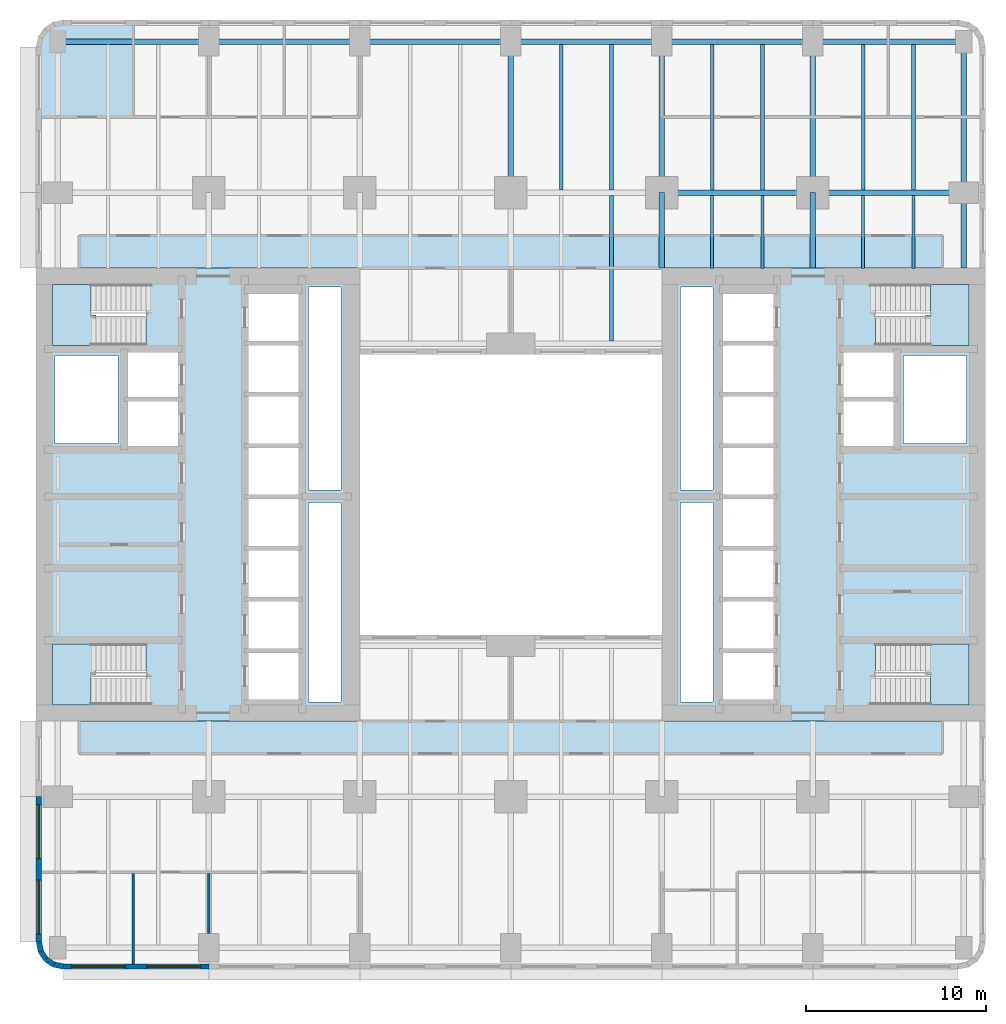
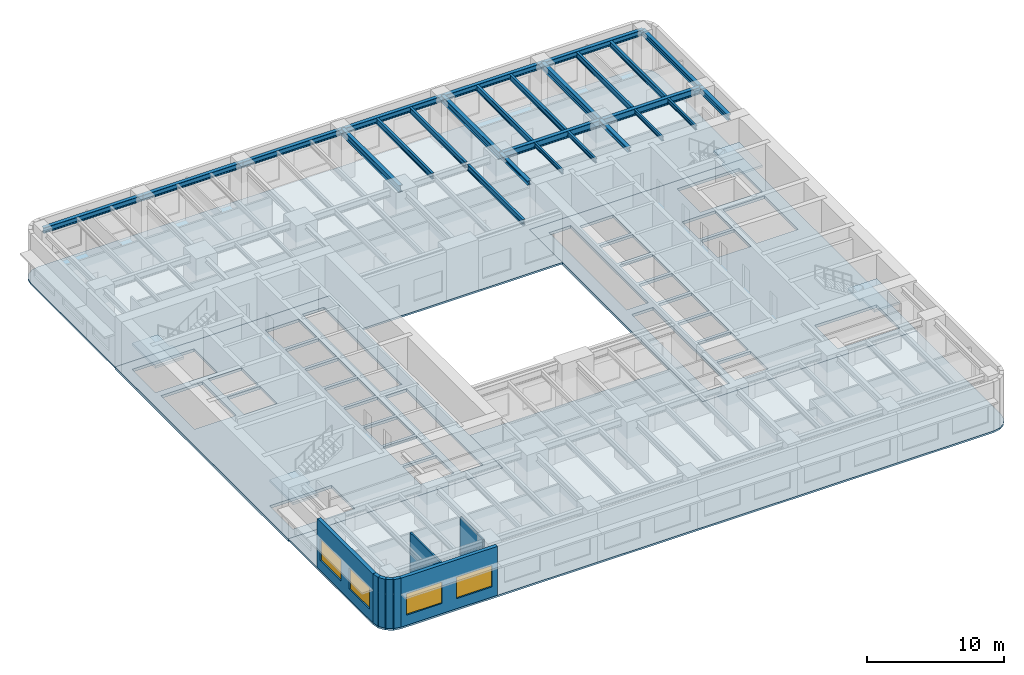
# One storey, part 2 of 14: 26 beams, 8 slabs, 8 walls, 4 windows, 4 openings, 4 elements without a shape of their own.
"""IFC4 building model written with IfcOpenShell, lengths in metres."""

from ifc_helpers import new_model, si_unit, direction, frame, frame_2d, origin, origin_2d, place, context, subcontext, project, spatial, polyline, rectangle, i_section, outline, extrude, material, layer, layer_set, material_profile, profile_set, type_object, element, fill, aggregate, save


model = new_model("IFC4")

# Units and contexts
model_context = context("Model", 3, precision=1e-05, world=origin(), true_north=direction((0.0, 1.0)))
body_context = subcontext(model_context, "Body", "Model", "MODEL_VIEW")
ifc_project = project(units=[si_unit("LENGTHUNIT", "METRE"), si_unit("AREAUNIT", "SQUARE_METRE"), si_unit("VOLUMEUNIT", "CUBIC_METRE"), si_unit("PLANEANGLEUNIT", "RADIAN"), si_unit("MASSUNIT", "GRAM", prefix="KILO")], contexts=[model_context])

# Site, building, storey
site_placement = place(None, origin())
site = spatial("IfcSite", under=ifc_project, at=site_placement, CompositionType="ELEMENT")
building_placement = place(site_placement, origin())
building = spatial("IfcBuilding", under=site, at=building_placement, Name="Claustro Exchange Tower", CompositionType="ELEMENT")
storey_placement = place(building_placement, frame((0.0, 0.0, 23.39990234375)))
storey = spatial("IfcBuildingStorey", under=building, at=storey_placement, Name="L05", CompositionType="ELEMENT", Elevation=23.39990234375)

# Beams
ifc_material_1 = material(Name="Steel S355", Category="steel")
ifc_material_profile_1 = material_profile(ifc_material_1, i_section(OverallWidth=0.300048828125, OverallDepth=0.60009765625, WebThickness=0.015380859375, FlangeThickness=0.030029296875, FilletRadius=0.027099609375, at=origin_2d()), Name="HE 600 B")
ifc_profile_set_1 = profile_set([ifc_material_profile_1], Name="Steel S355")
beam_type_1 = type_object("IfcBeamType", Name="B1 HE 600 B floor girder", PredefinedType="BEAM", material=ifc_profile_set_1)
for number, where, z_axis, x_axis, name in (
    (1, (25.199951171875, 42.0, 4.0400390625), (0.0, 1.0, 0.0), (-1.0, 0.0, 0.0), "Beam B1 L06"),
    (2, (33.60009765625, 42.0, 4.0400390625), (0.0, 1.0, 0.0), (-1.0, 0.0, 0.0), "Beam B1 L06"),
    (3, (42.0, 42.0, 4.0400390625), (0.0, 1.0, 0.0), (-1.0, 0.0, 0.0), "Beam B1 L06"),
    (4, (33.60009765625, 42.0, 4.0400390625), (1.0, 0.0, 0.0), (0.0, 1.0, 0.0), "Beam B1 L06"),
    (5, (42.0, 42.0, 4.0400390625), (1.0, 0.0, 0.0), (0.0, 1.0, 0.0), "Beam B1 L06"),
):
    element("IfcBeam", number, at=place(storey_placement, frame(where, z_axis=z_axis, x_axis=x_axis)), inside=storey, type_object=beam_type_1, Name=name, PredefinedType="BEAM", context=body_context, shape_type="SweptSolid", body=[
        extrude(i_section(OverallWidth=0.300048828125, OverallDepth=0.60009765625, WebThickness=0.015380859375, FlangeThickness=0.030029296875, FilletRadius=0.027099609375, at=origin_2d()), origin(), (0.0, 0.0, 1.0), 8.39990234375),
    ])
ifc_material_2 = material(Name="Steel S355", Category="steel")
ifc_material_profile_2 = material_profile(ifc_material_2, i_section(OverallWidth=0.169921875, OverallDepth=0.360107421875, WebThickness=0.008056640625, FlangeThickness=0.0126953125, FilletRadius=0.01806640625, at=origin_2d()), Name="IPE 360")
ifc_profile_set_2 = profile_set([ifc_material_profile_2], Name="Steel S355")
beam_type_2 = type_object("IfcBeamType", Name="B16 IPE 360 short-span beam", PredefinedType="BEAM", material=ifc_profile_set_2)
for number, where, z_axis, x_axis, name in (
    (6, (36.39990234375, 37.7900390625, 4.16015625), (0.0, 1.0, 0.0), (-1.0, 0.0, 0.0), "Beam B16 L06"),
    (7, (39.199951171875, 37.7900390625, 4.16015625), (0.0, 1.0, 0.0), (-1.0, 0.0, 0.0), "Beam B16 L06"),
    (8, (44.800048828125, 37.7900390625, 4.16015625), (0.0, 1.0, 0.0), (-1.0, 0.0, 0.0), "Beam B16 L06"),
    (9, (47.60009765625, 37.7900390625, 4.16015625), (0.0, 1.0, 0.0), (-1.0, 0.0, 0.0), "Beam B16 L06"),
):
    element("IfcBeam", number, at=place(storey_placement, frame(where, z_axis=z_axis, x_axis=x_axis)), inside=storey, type_object=beam_type_2, Name=name, PredefinedType="BEAM", context=body_context, shape_type="SweptSolid", body=[
        extrude(i_section(OverallWidth=0.169921875, OverallDepth=0.360107421875, WebThickness=0.008056640625, FlangeThickness=0.0126953125, FilletRadius=0.01806640625, at=origin_2d()), origin(), (0.0, 0.0, 1.0), 4.06005859375),
    ])
ifc_material_3 = material(Name="Steel S355", Category="steel")
ifc_material_profile_3 = material_profile(ifc_material_3, i_section(OverallWidth=0.199951171875, OverallDepth=0.5, WebThickness=0.01025390625, FlangeThickness=0.01611328125, FilletRadius=0.02099609375, at=origin_2d()), Name="IPE 500")
ifc_profile_set_3 = profile_set([ifc_material_profile_3], Name="Steel S355")
beam_type_3 = type_object("IfcBeamType", Name="B2 IPE 500 secondary beam", PredefinedType="BEAM", material=ifc_profile_set_3)
for number, where, z_axis, x_axis, name in (
    (10, (30.800048828125, 33.75, 4.090087890625), (0.0, 1.0, 0.0), (-1.0, 0.0, 0.0), "Beam B2 L06"),
    (11, (28.0, 42.14990234375, 4.090087890625), (0.0, 1.0, 0.0), (-1.0, 0.0, 0.0), "Beam B2 L06"),
    (12, (30.800048828125, 42.14990234375, 4.090087890625), (0.0, 1.0, 0.0), (-1.0, 0.0, 0.0), "Beam B2 L06"),
    (13, (36.39990234375, 42.14990234375, 4.090087890625), (0.0, 1.0, 0.0), (-1.0, 0.0, 0.0), "Beam B2 L06"),
    (14, (39.199951171875, 42.14990234375, 4.090087890625), (0.0, 1.0, 0.0), (-1.0, 0.0, 0.0), "Beam B2 L06"),
    (15, (44.800048828125, 42.14990234375, 4.090087890625), (0.0, 1.0, 0.0), (-1.0, 0.0, 0.0), "Beam B2 L06"),
    (16, (47.60009765625, 42.14990234375, 4.090087890625), (0.0, 1.0, 0.0), (-1.0, 0.0, 0.0), "Beam B2 L06"),
):
    element("IfcBeam", number, at=place(storey_placement, frame(where, z_axis=z_axis, x_axis=x_axis)), inside=storey, type_object=beam_type_3, Name=name, PredefinedType="BEAM", context=body_context, shape_type="SweptSolid", body=[
        extrude(i_section(OverallWidth=0.199951171875, OverallDepth=0.5, WebThickness=0.01025390625, FlangeThickness=0.01611328125, FilletRadius=0.02099609375, at=origin_2d()), origin(), (0.0, 0.0, 1.0), 8.10009765625),
    ])
ifc_material_4 = material(Name="Steel S355", Category="steel")
ifc_material_profile_4 = material_profile(ifc_material_4, i_section(OverallWidth=0.300048828125, OverallDepth=0.360107421875, WebThickness=0.012451171875, FlangeThickness=0.0224609375, FilletRadius=0.027099609375, at=origin_2d()), Name="HE 360 B")
ifc_profile_set_4 = profile_set([ifc_material_profile_4], Name="Steel S355")
beam_type_4 = type_object("IfcBeamType", Name="B29 HE 360 B column to core link beam", PredefinedType="BEAM", material=ifc_profile_set_4)
for number, where, z_axis, x_axis, name in (
    (17, (33.60009765625, 37.800048828125, 4.16015625), (0.0, 1.0, 0.0), (-1.0, 0.0, 0.0), "Beam B29 L06"),
    (18, (42.0, 37.800048828125, 4.16015625), (0.0, 1.0, 0.0), (-1.0, 0.0, 0.0), "Beam B29 L06"),
):
    element("IfcBeam", number, at=place(storey_placement, frame(where, z_axis=z_axis, x_axis=x_axis)), inside=storey, type_object=beam_type_4, Name=name, PredefinedType="BEAM", context=body_context, shape_type="SweptSolid", body=[
        extrude(i_section(OverallWidth=0.300048828125, OverallDepth=0.360107421875, WebThickness=0.012451171875, FlangeThickness=0.0224609375, FilletRadius=0.027099609375, at=origin_2d()), origin(), (0.0, 0.0, 1.0), 4.199951171875),
    ])
ifc_material_5 = material(Name="Steel S355", Category="steel")
ifc_material_profile_5 = material_profile(ifc_material_5, i_section(OverallWidth=0.300048828125, OverallDepth=0.5, WebThickness=0.014404296875, FlangeThickness=0.028076171875, FilletRadius=0.027099609375, at=origin_2d()), Name="HE 500 B")
ifc_profile_set_5 = profile_set([ifc_material_profile_5], Name="Steel S355")
beam_type_5 = type_object("IfcBeamType", Name="B3 HE 500 B spandrel edge girder", PredefinedType="SPANDREL", material=ifc_profile_set_5)
beam_1_placement = place(storey_placement, frame((50.39990234375, 37.800048828125, 4.090087890625), z_axis=(0.0, 1.0, 0.0), x_axis=(-1.0, 0.0, 0.0)))
element("IfcBeam", 19, at=beam_1_placement, inside=storey, type_object=beam_type_5, Name="Beam B3 L06", PredefinedType="SPANDREL", context=body_context, shape_type="SweptSolid", body=[
    extrude(i_section(OverallWidth=0.300048828125, OverallDepth=0.5, WebThickness=0.014404296875, FlangeThickness=0.028076171875, FilletRadius=0.027099609375, at=origin_2d()), origin(), (0.0, 0.0, 1.0), 4.199951171875),
])
for number, where, z_axis, x_axis, name in (
    (20, (50.39990234375, 42.0, 4.090087890625), (0.0, 1.0, 0.0), (-1.0, 0.0, 0.0), "Beam B3 L06"),
    (21, (0.0, 50.39990234375, 4.090087890625), (1.0, 0.0, 0.0), (0.0, 1.0, 0.0), "Beam B3 L06"),
):
    element("IfcBeam", number, at=place(storey_placement, frame(where, z_axis=z_axis, x_axis=x_axis)), inside=storey, type_object=beam_type_5, Name=name, PredefinedType="SPANDREL", context=body_context, shape_type="SweptSolid", body=[
        extrude(i_section(OverallWidth=0.300048828125, OverallDepth=0.5, WebThickness=0.014404296875, FlangeThickness=0.028076171875, FilletRadius=0.027099609375, at=origin_2d()), origin(), (0.0, 0.0, 1.0), 8.39990234375),
    ])
beam_2_placement = place(storey_placement, frame((8.39990234375, 50.39990234375, 4.090087890625), z_axis=(1.0, 0.0, 0.0), x_axis=(0.0, 1.0, 0.0)))
element("IfcBeam", 22, at=beam_2_placement, inside=storey, type_object=beam_type_5, Name="Beam B3 L06", PredefinedType="SPANDREL", context=body_context, shape_type="SweptSolid", body=[
    extrude(i_section(OverallWidth=0.300048828125, OverallDepth=0.5, WebThickness=0.014404296875, FlangeThickness=0.028076171875, FilletRadius=0.027099609375, at=origin_2d()), origin(), (0.0, 0.0, 1.0), 8.400146484375),
])
beam_3_placement = place(storey_placement, frame((16.800048828125, 50.39990234375, 4.090087890625), z_axis=(1.0, 0.0, 0.0), x_axis=(0.0, 1.0, 0.0)))
element("IfcBeam", 23, at=beam_3_placement, inside=storey, type_object=beam_type_5, Name="Beam B3 L06", PredefinedType="SPANDREL", context=body_context, shape_type="SweptSolid", body=[
    extrude(i_section(OverallWidth=0.300048828125, OverallDepth=0.5, WebThickness=0.014404296875, FlangeThickness=0.028076171875, FilletRadius=0.027099609375, at=origin_2d()), origin(), (0.0, 0.0, 1.0), 8.39990234375),
])
beam_4_placement = place(storey_placement, frame((25.199951171875, 50.39990234375, 4.090087890625), z_axis=(1.0, 0.0, 0.0), x_axis=(0.0, 1.0, 0.0)))
element("IfcBeam", 24, at=beam_4_placement, inside=storey, type_object=beam_type_5, Name="Beam B3 L06", PredefinedType="SPANDREL", context=body_context, shape_type="SweptSolid", body=[
    extrude(i_section(OverallWidth=0.300048828125, OverallDepth=0.5, WebThickness=0.014404296875, FlangeThickness=0.028076171875, FilletRadius=0.027099609375, at=origin_2d()), origin(), (0.0, 0.0, 1.0), 8.400146484375),
])
for number, where, z_axis, x_axis, name in (
    (25, (33.60009765625, 50.39990234375, 4.090087890625), (1.0, 0.0, 0.0), (0.0, 1.0, 0.0), "Beam B3 L06"),
    (26, (42.0, 50.39990234375, 4.090087890625), (1.0, 0.0, 0.0), (0.0, 1.0, 0.0), "Beam B3 L06"),
):
    element("IfcBeam", number, at=place(storey_placement, frame(where, z_axis=z_axis, x_axis=x_axis)), inside=storey, type_object=beam_type_5, Name=name, PredefinedType="SPANDREL", context=body_context, shape_type="SweptSolid", body=[
        extrude(i_section(OverallWidth=0.300048828125, OverallDepth=0.5, WebThickness=0.014404296875, FlangeThickness=0.028076171875, FilletRadius=0.027099609375, at=origin_2d()), origin(), (0.0, 0.0, 1.0), 8.39990234375),
    ])

# Slabs
ifc_material_6 = material(Name="Concrete HA-50 (C50/60)", Category="concrete")
ifc_layer_1 = layer(ifc_material_6, 0.159912109375)
ifc_layer_set_1 = layer_set([ifc_layer_1], Name="Concrete HA-50 (C50/60)")
slab_type_1 = type_object("IfcSlabType", Name="S1 160 composite floor slab", PredefinedType="FLOOR", material=ifc_layer_set_1)
slab_1_placement = place(storey_placement, frame((0.0, 0.0, -0.159912109375)))
element("IfcSlab", 27, at=slab_1_placement, inside=storey, type_object=slab_type_1, Name="Floor slab S1 S L05", PredefinedType="FLOOR", context=body_context, shape_type="SweptSolid", body=[
    extrude(outline(polyline([(-0.27392578125, -1.085693359375), (0.300048828125, -1.199951171875), (50.10009765625, -1.199951171875), (50.674072265625, -1.085693359375), (51.16064453125, -0.7607421875), (51.48583984375, -0.27392578125), (51.60009765625, 0.300048828125), (51.60009765625, 12.60009765625), (33.60009765625, 12.60009765625), (33.60009765625, 17.39990234375), (16.800048828125, 17.39990234375), (16.800048828125, 12.60009765625), (-1.199951171875, 12.60009765625), (-1.199951171875, 0.300048828125), (-1.085693359375, -0.27392578125), (-0.7607421875, -0.7607421875), (-0.27392578125, -1.085693359375)])), origin(), (0.0, 0.0, 1.0), 0.159912109375),
])
slab_2_placement = place(storey_placement, frame((0.0, 0.0, -0.159912109375)))
element("IfcSlab", 28, at=slab_2_placement, inside=storey, type_object=slab_type_1, Name="Floor slab S1 N L05", PredefinedType="FLOOR", context=body_context, shape_type="SweptSolid", body=[
    extrude(outline(polyline([(16.800048828125, 37.800048828125), (16.800048828125, 33.0), (33.60009765625, 33.0), (33.60009765625, 37.800048828125), (51.60009765625, 37.800048828125), (51.60009765625, 50.10009765625), (51.48583984375, 50.674072265625), (51.16064453125, 51.16064453125), (50.674072265625, 51.48583984375), (50.10009765625, 51.60009765625), (0.300048828125, 51.60009765625), (-0.27392578125, 51.48583984375), (-0.7607421875, 51.16064453125), (-1.085693359375, 50.674072265625), (-1.199951171875, 50.10009765625), (-1.199951171875, 37.800048828125), (16.800048828125, 37.800048828125)])), origin(), (0.0, 0.0, 1.0), 0.159912109375),
])
ifc_material_7 = material(Name="Concrete HA-50 (C50/60)", Category="concrete")
ifc_layer_2 = layer(ifc_material_7, 0.25)
ifc_layer_set_2 = layer_set([ifc_layer_2], Name="Concrete HA-50 (C50/60)")
slab_type_2 = type_object("IfcSlabType", Name="S7 250 core floor slab", PredefinedType="FLOOR", material=ifc_layer_set_2)
slab_3_placement = place(storey_placement, frame((0.0, 0.0, -0.25)))
element("IfcSlab", 29, at=slab_3_placement, inside=storey, type_object=slab_type_2, Name="Core floor slab S7 W core L05", PredefinedType="FLOOR", context=body_context, shape_type="SweptSolid", body=[
    extrude(outline(polyline([(-1.199951171875, 12.60009765625), (16.800048828125, 12.60009765625), (16.800048828125, 37.800048828125), (-1.199951171875, 37.800048828125), (-1.199951171875, 12.60009765625)]), holes=[polyline([(15.75, 24.75), (15.75, 13.64990234375), (13.949951171875, 13.64990234375), (13.949951171875, 24.75), (15.75, 24.75)]), polyline([(15.75, 36.75), (15.75, 25.449951171875), (13.949951171875, 25.449951171875), (13.949951171875, 36.75), (15.75, 36.75)]), polyline([(10.60009765625, 16.39990234375), (13.39990234375, 16.39990234375), (13.39990234375, 13.800048828125), (10.60009765625, 13.800048828125), (10.60009765625, 16.39990234375)]), polyline([(13.39990234375, 19.25), (13.39990234375, 16.64990234375), (10.60009765625, 16.64990234375), (10.60009765625, 19.25), (13.39990234375, 19.25)]), polyline([(13.39990234375, 22.10009765625), (13.39990234375, 19.5), (10.60009765625, 19.5), (10.60009765625, 22.10009765625), (13.39990234375, 22.10009765625)]), polyline([(13.39990234375, 24.949951171875), (13.39990234375, 22.35009765625), (10.60009765625, 22.35009765625), (10.60009765625, 24.949951171875), (13.39990234375, 24.949951171875)]), polyline([(13.39990234375, 27.800048828125), (13.39990234375, 25.199951171875), (10.60009765625, 25.199951171875), (10.60009765625, 27.800048828125), (13.39990234375, 27.800048828125)]), polyline([(13.39990234375, 30.64990234375), (13.39990234375, 28.050048828125), (10.60009765625, 28.050048828125), (10.60009765625, 30.64990234375), (13.39990234375, 30.64990234375)]), polyline([(13.39990234375, 33.5), (13.39990234375, 30.89990234375), (10.60009765625, 30.89990234375), (10.60009765625, 33.5), (13.39990234375, 33.5)]), polyline([(13.39990234375, 36.35009765625), (13.39990234375, 33.75), (10.60009765625, 33.75), (10.60009765625, 36.35009765625), (13.39990234375, 36.35009765625)]), polyline([(6.699951171875, 30.375), (6.699951171875, 27.89990234375), (3.89990234375, 27.89990234375), (3.89990234375, 30.375), (6.699951171875, 30.375)]), polyline([(6.699951171875, 33.10009765625), (6.699951171875, 30.625), (3.89990234375, 30.625), (3.89990234375, 33.10009765625), (6.699951171875, 33.10009765625)]), polyline([(-0.300048828125, 15.199951171875), (-0.300048828125, 16.89990234375), (4.9150390625, 16.89990234375), (4.9150390625, 15.199951171875), (4.919921875, 15.199951171875), (4.919921875, 13.5), (-0.300048828125, 13.5), (-0.300048828125, 15.199951171875)]), polyline([(-0.300048828125, 36.89990234375), (4.919921875, 36.89990234375), (4.919921875, 35.199951171875), (4.9150390625, 35.199951171875), (4.9150390625, 33.5), (-0.300048828125, 33.5), (-0.300048828125, 35.199951171875), (-0.300048828125, 36.89990234375)]), polyline([(3.35009765625, 32.949951171875), (3.35009765625, 28.050048828125), (-0.14990234375, 28.050048828125), (-0.14990234375, 32.949951171875), (3.35009765625, 32.949951171875)])]), origin(), (0.0, 0.0, 1.0), 0.25),
])
slab_4_placement = place(storey_placement, frame((0.0, 0.0, -0.25)))
element("IfcSlab", 30, at=slab_4_placement, inside=storey, type_object=slab_type_2, Name="Core floor slab S7 E core L05", PredefinedType="FLOOR", context=body_context, shape_type="SweptSolid", body=[
    extrude(outline(polyline([(33.60009765625, 12.60009765625), (51.60009765625, 12.60009765625), (51.60009765625, 37.800048828125), (33.60009765625, 37.800048828125), (33.60009765625, 12.60009765625)]), holes=[polyline([(45.47998046875, 35.199951171875), (45.47998046875, 36.89990234375), (50.699951171875, 36.89990234375), (50.699951171875, 35.199951171875), (50.699951171875, 33.5), (45.485107421875, 33.5), (45.485107421875, 35.199951171875), (45.47998046875, 35.199951171875)]), polyline([(45.485107421875, 15.199951171875), (45.485107421875, 16.89990234375), (50.699951171875, 16.89990234375), (50.699951171875, 15.199951171875), (50.699951171875, 13.5), (45.47998046875, 13.5), (45.47998046875, 15.199951171875), (45.485107421875, 15.199951171875)]), polyline([(50.550048828125, 32.949951171875), (50.550048828125, 28.050048828125), (47.050048828125, 28.050048828125), (47.050048828125, 32.949951171875), (50.550048828125, 32.949951171875)]), polyline([(46.5, 30.375), (46.5, 27.89990234375), (43.699951171875, 27.89990234375), (43.699951171875, 30.375), (46.5, 30.375)]), polyline([(46.5, 33.10009765625), (46.5, 30.625), (43.699951171875, 30.625), (43.699951171875, 33.10009765625), (46.5, 33.10009765625)]), polyline([(37.0, 16.39990234375), (39.800048828125, 16.39990234375), (39.800048828125, 13.800048828125), (37.0, 13.800048828125), (37.0, 16.39990234375)]), polyline([(39.800048828125, 19.25), (39.800048828125, 16.64990234375), (37.0, 16.64990234375), (37.0, 19.25), (39.800048828125, 19.25)]), polyline([(39.800048828125, 22.10009765625), (39.800048828125, 19.5), (37.0, 19.5), (37.0, 22.10009765625), (39.800048828125, 22.10009765625)]), polyline([(39.800048828125, 24.949951171875), (39.800048828125, 22.35009765625), (37.0, 22.35009765625), (37.0, 24.949951171875), (39.800048828125, 24.949951171875)]), polyline([(39.800048828125, 27.800048828125), (39.800048828125, 25.199951171875), (37.0, 25.199951171875), (37.0, 27.800048828125), (39.800048828125, 27.800048828125)]), polyline([(39.800048828125, 30.64990234375), (39.800048828125, 28.050048828125), (37.0, 28.050048828125), (37.0, 30.64990234375), (39.800048828125, 30.64990234375)]), polyline([(39.800048828125, 33.5), (39.800048828125, 30.89990234375), (37.0, 30.89990234375), (37.0, 33.5), (39.800048828125, 33.5)]), polyline([(39.800048828125, 36.35009765625), (39.800048828125, 33.75), (37.0, 33.75), (37.0, 36.35009765625), (39.800048828125, 36.35009765625)]), polyline([(36.449951171875, 24.75), (36.449951171875, 13.64990234375), (34.64990234375, 13.64990234375), (34.64990234375, 24.75), (36.449951171875, 24.75)]), polyline([(36.449951171875, 36.75), (36.449951171875, 25.449951171875), (34.64990234375, 25.449951171875), (34.64990234375, 36.75), (36.449951171875, 36.75)])]), origin(), (0.0, 0.0, 1.0), 0.25),
])

# Stair, slab
ifc_material_8 = material(Name="Concrete HA-30 (C30/37), precast", Category="concrete")
stair_type = type_object("IfcStairType", Name="ST2 half-turn stair, 25 risers of 180", PredefinedType="HALF_TURN_STAIR", material=ifc_material_8)
stair_1_placement = place(storey_placement, origin())
stair_1 = element("IfcStair", 31, at=stair_1_placement, inside=storey, type_object=stair_type, Name="Stair STWA L05", PredefinedType="HALF_TURN_STAIR")
ifc_material_9 = material(Name="Concrete HA-30 (C30/37), precast", Category="concrete")
ifc_layer_3 = layer(ifc_material_9, 0.199951171875)
ifc_layer_set_3 = layer_set([ifc_layer_3], Name="Concrete HA-30 (C30/37), precast")
slab_type_3 = type_object("IfcSlabType", Name="S9 200 stair landing", PredefinedType="LANDING", material=ifc_layer_set_3)
slab_5_placement = place(storey_placement, frame((0.0, 0.0, 2.14013671875)))
slab_5 = element("IfcSlab", 32, at=slab_5_placement, type_object=slab_type_3, Name="STWA landing 1", PredefinedType="LANDING", context=body_context, shape_type="SweptSolid", body=[
    extrude(outline(polyline([(1.844970703125, 13.5), (-0.300048828125, 13.5), (-0.300048828125, 16.89990234375), (1.840087890625, 16.89990234375), (1.844970703125, 16.89990234375), (2.1201171875, 16.89990234375), (2.1201171875, 15.199951171875), (1.844970703125, 15.199951171875), (1.844970703125, 13.5)])), origin(), (0.0, 0.0, 1.0), 0.199951171875),
])
aggregate(stair_1, [slab_5])

stair_2_placement = place(storey_placement, origin())
stair_2 = element("IfcStair", 33, at=stair_2_placement, inside=storey, type_object=stair_type, Name="Stair STWB L05", PredefinedType="HALF_TURN_STAIR")
slab_6_placement = place(storey_placement, frame((0.0, 0.0, 2.14013671875)))
slab_6 = element("IfcSlab", 34, at=slab_6_placement, type_object=slab_type_3, Name="STWB landing 1", PredefinedType="LANDING", context=body_context, shape_type="SweptSolid", body=[
    extrude(outline(polyline([(2.1201171875, 35.199951171875), (2.1201171875, 33.5), (1.844970703125, 33.5), (1.840087890625, 33.5), (-0.300048828125, 33.5), (-0.300048828125, 36.89990234375), (1.844970703125, 36.89990234375), (1.844970703125, 35.199951171875), (2.1201171875, 35.199951171875)])), origin(), (0.0, 0.0, 1.0), 0.199951171875),
])
aggregate(stair_2, [slab_6])

stair_3_placement = place(storey_placement, origin())
stair_3 = element("IfcStair", 35, at=stair_3_placement, inside=storey, type_object=stair_type, Name="Stair STEA L05", PredefinedType="HALF_TURN_STAIR")
slab_7_placement = place(storey_placement, frame((0.0, 0.0, 2.14013671875)))
slab_7 = element("IfcSlab", 36, at=slab_7_placement, type_object=slab_type_3, Name="STEA landing 1", PredefinedType="LANDING", context=body_context, shape_type="SweptSolid", body=[
    extrude(outline(polyline([(50.699951171875, 16.89990234375), (50.699951171875, 13.5), (48.554931640625, 13.5), (48.554931640625, 15.199951171875), (48.280029296875, 15.199951171875), (48.280029296875, 16.89990234375), (48.554931640625, 16.89990234375), (48.56005859375, 16.89990234375), (50.699951171875, 16.89990234375)])), origin(), (0.0, 0.0, 1.0), 0.199951171875),
])
aggregate(stair_3, [slab_7])

stair_4_placement = place(storey_placement, origin())
stair_4 = element("IfcStair", 37, at=stair_4_placement, inside=storey, type_object=stair_type, Name="Stair STEB L05", PredefinedType="HALF_TURN_STAIR")
slab_8_placement = place(storey_placement, frame((0.0, 0.0, 2.14013671875)))
slab_8 = element("IfcSlab", 38, at=slab_8_placement, type_object=slab_type_3, Name="STEB landing 1", PredefinedType="LANDING", context=body_context, shape_type="SweptSolid", body=[
    extrude(outline(polyline([(48.280029296875, 33.5), (48.280029296875, 35.199951171875), (48.554931640625, 35.199951171875), (48.554931640625, 36.89990234375), (50.699951171875, 36.89990234375), (50.699951171875, 33.5), (48.56005859375, 33.5), (48.554931640625, 33.5), (48.280029296875, 33.5)])), origin(), (0.0, 0.0, 1.0), 0.199951171875),
])
aggregate(stair_4, [slab_8])

# Walls
ifc_material_10 = material(Name="Gypsum board on steel studs", Category="steel")
ifc_layer_4 = layer(ifc_material_10, 0.14990234375)
ifc_layer_set_4 = layer_set([ifc_layer_4], Name="Gypsum board on steel studs")
wall_type_1 = type_object("IfcWallType", Name="P1 150 plasterboard partition", PredefinedType="PARTITIONING", material=ifc_layer_set_4)
wall_1_placement = place(storey_placement, frame((4.199951171875, -0.902099609375, 0.0), z_axis=(0.0, 0.0, 1.0), x_axis=(0.0, 1.0, 0.0)))
element("IfcWall", 39, at=wall_1_placement, inside=storey, type_object=wall_type_1, Name="Partition P1 L05", PredefinedType="PARTITIONING", context=body_context, shape_type="SweptSolid", body=[
    extrude(rectangle(XDim=5.028076171875, YDim=0.14990234375, at=frame_2d((2.51416015625, 0.0))), origin(), (0.0, 0.0, 1.0), 3.840087890625),
])
wall_2_placement = place(storey_placement, frame((8.39990234375, 0.799072265625, 0.0), z_axis=(0.0, 0.0, 1.0), x_axis=(0.0, 1.0, 0.0)))
element("IfcWall", 40, at=wall_2_placement, inside=storey, type_object=wall_type_1, Name="Partition P1 L05", PredefinedType="PARTITIONING", context=body_context, shape_type="SweptSolid", body=[
    extrude(rectangle(XDim=3.326904296875, YDim=0.14990234375, at=frame_2d((1.66357421875, 0.0))), origin(), (0.0, 0.0, 1.0), 3.739990234375),
])

# Wall, openings, windows
ifc_material_11 = material(Name="Concrete HA-40 (C40/50), precast, white cement, acid-etched", Category="concrete")
ifc_layer_5 = layer(ifc_material_11, 0.300048828125)
ifc_layer_set_5 = layer_set([ifc_layer_5], Name="Concrete HA-40 (C40/50), precast, white cement, acid-etched")
wall_type_2 = type_object("IfcWallType", Name="PC1 300 precast concrete pier panel", PredefinedType="SOLIDWALL", material=ifc_layer_set_5)
wall_3_placement = place(storey_placement, frame((8.39990234375, -1.050048828125, 0.0), z_axis=(0.0, 0.0, 1.0), x_axis=(-1.0, 0.0, 0.0)))
wall_3 = element("IfcWall", 41, at=wall_3_placement, inside=storey, type_object=wall_type_2, Name="Precast pier panel PC1 L05", PredefinedType="SOLIDWALL", context=body_context, shape_type="SweptSolid", body=[
    extrude(rectangle(XDim=8.085205078125, YDim=0.300048828125, at=frame_2d((4.04248046875, 0.0))), origin(), (0.0, 0.0, 1.0), 4.340087890625),
])
opening_1_placement = place(wall_3_placement, frame((0.442626953125, 0.0, 0.89990234375)))
opening_1 = element("IfcOpeningElement", 42, at=opening_1_placement, cuts=wall_3, Name="Opening W1", PredefinedType="OPENING", context=body_context, shape_type="SweptSolid", body=[
    extrude(rectangle(XDim=3.0, YDim=1.89990234375, at=frame_2d((1.5, 0.949951171875))), frame((0.0, 0.159912109375, 0.0), z_axis=(0.0, -1.0, 0.0), x_axis=(1.0, 0.0, 0.0)), (0.0, 0.0, 1.0), 0.320068359375),
])
opening_2_placement = place(wall_3_placement, frame((4.642578125, 0.0, 0.89990234375)))
opening_2 = element("IfcOpeningElement", 43, at=opening_2_placement, cuts=wall_3, Name="Opening W1", PredefinedType="OPENING", context=body_context, shape_type="SweptSolid", body=[
    extrude(rectangle(XDim=3.0, YDim=1.89990234375, at=frame_2d((1.5, 0.949951171875))), frame((0.0, 0.159912109375, 0.0), z_axis=(0.0, -1.0, 0.0), x_axis=(1.0, 0.0, 0.0)), (0.0, 0.0, 1.0), 0.320068359375),
])
ifc_material_12 = material(Name="Aluminium frame, clear double glazing", Category="aluminium")
window_type = type_object("IfcWindowType", Name="W1 3000 x 1900 window", PartitioningType="SINGLE_PANEL", PredefinedType="WINDOW", material=ifc_material_12)
window_1_placement = place(opening_1_placement, origin())
window_1 = element("IfcWindow", 44, at=window_1_placement, inside=storey, type_object=window_type, Name="Window W1 L05", OverallHeight=1.89990234375, OverallWidth=3.0, PartitioningType="SINGLE_PANEL", PredefinedType="WINDOW", context=body_context, shape_type="SweptSolid", body=[
    extrude(rectangle(XDim=3.0, YDim=1.89990234375, at=frame_2d((1.5, 0.949951171875))), frame((0.0, 0.030029296875, 0.0), z_axis=(0.0, -1.0, 0.0), x_axis=(1.0, 0.0, 0.0)), (0.0, 0.0, 1.0), 0.06005859375),
])
fill(opening_1, window_1)
window_2_placement = place(opening_2_placement, origin())
window_2 = element("IfcWindow", 45, at=window_2_placement, inside=storey, type_object=window_type, Name="Window W1 L05", OverallHeight=1.89990234375, OverallWidth=3.0, PartitioningType="SINGLE_PANEL", PredefinedType="WINDOW", context=body_context, shape_type="SweptSolid", body=[
    extrude(rectangle(XDim=3.0, YDim=1.89990234375, at=frame_2d((1.5, 0.949951171875))), frame((0.0, 0.030029296875, 0.0), z_axis=(0.0, -1.0, 0.0), x_axis=(1.0, 0.0, 0.0)), (0.0, 0.0, 1.0), 0.06005859375),
])
fill(opening_2, window_2)

# Walls
wall_4_placement = place(storey_placement, frame((0.314697265625, -1.050048828125, 0.0), z_axis=(0.0, 0.0, 1.0), x_axis=(-0.980788534345, 0.195073962632, 0.0)))
element("IfcWall", 46, at=wall_4_placement, inside=storey, type_object=wall_type_2, Name="Precast pier panel PC1 L05", PredefinedType="SOLIDWALL", context=body_context, shape_type="SweptSolid", body=[
    extrude(rectangle(XDim=0.540771484375, YDim=0.300048828125, at=frame_2d((0.2705078125, 0.0))), origin(), (0.0, 0.0, 1.0), 4.340087890625),
])
for number, where, z_axis, x_axis, name in (
    (47, (-0.215576171875, -0.944580078125, 0.0), (0.0, 0.0, 1.0), (-0.831478144188, 0.555557463938, 0.0), "Precast pier panel PC1 L05"),
    (48, (-0.652587890625, -0.652587890625, 0.0), (0.0, 0.0, 1.0), (-0.555557463938, 0.831478144188, 0.0), "Precast pier panel PC1 L05"),
):
    element("IfcWall", number, at=place(storey_placement, frame(where, z_axis=z_axis, x_axis=x_axis)), inside=storey, type_object=wall_type_2, Name=name, PredefinedType="SOLIDWALL", context=body_context, shape_type="SweptSolid", body=[
        extrude(rectangle(XDim=0.525634765625, YDim=0.300048828125, at=frame_2d((0.2626953125, 0.0))), origin(), (0.0, 0.0, 1.0), 4.340087890625),
    ])
wall_5_placement = place(storey_placement, frame((-0.944580078125, -0.215576171875, 0.0), z_axis=(0.0, 0.0, 1.0), x_axis=(-0.195073962632, 0.980788534345, 0.0)))
element("IfcWall", 49, at=wall_5_placement, inside=storey, type_object=wall_type_2, Name="Precast pier panel PC1 L05", PredefinedType="SOLIDWALL", context=body_context, shape_type="SweptSolid", body=[
    extrude(rectangle(XDim=0.540771484375, YDim=0.300048828125, at=frame_2d((0.2705078125, 0.0))), origin(), (0.0, 0.0, 1.0), 4.340087890625),
])

# Wall, openings, windows
wall_6_placement = place(storey_placement, frame((-1.050048828125, 0.314697265625, 0.0), z_axis=(0.0, 0.0, 1.0), x_axis=(0.0, 1.0, 0.0)))
wall_6 = element("IfcWall", 50, at=wall_6_placement, inside=storey, type_object=wall_type_2, Name="Precast pier panel PC1 L05", PredefinedType="SOLIDWALL", context=body_context, shape_type="SweptSolid", body=[
    extrude(rectangle(XDim=8.085205078125, YDim=0.300048828125, at=frame_2d((4.04248046875, 0.0))), origin(), (0.0, 0.0, 1.0), 4.340087890625),
])
opening_3_placement = place(wall_6_placement, frame((0.442626953125, 0.0, 0.89990234375)))
opening_3 = element("IfcOpeningElement", 51, at=opening_3_placement, cuts=wall_6, Name="Opening W1", PredefinedType="OPENING", context=body_context, shape_type="SweptSolid", body=[
    extrude(rectangle(XDim=3.0, YDim=1.89990234375, at=frame_2d((1.5, 0.949951171875))), frame((0.0, 0.159912109375, 0.0), z_axis=(0.0, -1.0, 0.0), x_axis=(1.0, 0.0, 0.0)), (0.0, 0.0, 1.0), 0.320068359375),
])
opening_4_placement = place(wall_6_placement, frame((4.642578125, 0.0, 0.89990234375)))
opening_4 = element("IfcOpeningElement", 52, at=opening_4_placement, cuts=wall_6, Name="Opening W1", PredefinedType="OPENING", context=body_context, shape_type="SweptSolid", body=[
    extrude(rectangle(XDim=3.0, YDim=1.89990234375, at=frame_2d((1.5, 0.949951171875))), frame((0.0, 0.159912109375, 0.0), z_axis=(0.0, -1.0, 0.0), x_axis=(1.0, 0.0, 0.0)), (0.0, 0.0, 1.0), 0.320068359375),
])
window_3_placement = place(opening_3_placement, origin())
window_3 = element("IfcWindow", 53, at=window_3_placement, inside=storey, type_object=window_type, Name="Window W1 L05", OverallHeight=1.89990234375, OverallWidth=3.0, PartitioningType="SINGLE_PANEL", PredefinedType="WINDOW", context=body_context, shape_type="SweptSolid", body=[
    extrude(rectangle(XDim=3.0, YDim=1.89990234375, at=frame_2d((1.5, 0.949951171875))), frame((0.0, 0.030029296875, 0.0), z_axis=(0.0, -1.0, 0.0), x_axis=(1.0, 0.0, 0.0)), (0.0, 0.0, 1.0), 0.06005859375),
])
fill(opening_3, window_3)
window_4_placement = place(opening_4_placement, origin())
window_4 = element("IfcWindow", 54, at=window_4_placement, inside=storey, type_object=window_type, Name="Window W1 L05", OverallHeight=1.89990234375, OverallWidth=3.0, PartitioningType="SINGLE_PANEL", PredefinedType="WINDOW", context=body_context, shape_type="SweptSolid", body=[
    extrude(rectangle(XDim=3.0, YDim=1.89990234375, at=frame_2d((1.5, 0.949951171875))), frame((0.0, 0.030029296875, 0.0), z_axis=(0.0, -1.0, 0.0), x_axis=(1.0, 0.0, 0.0)), (0.0, 0.0, 1.0), 0.06005859375),
])
fill(opening_4, window_4)

save(model, "model.ifc")
